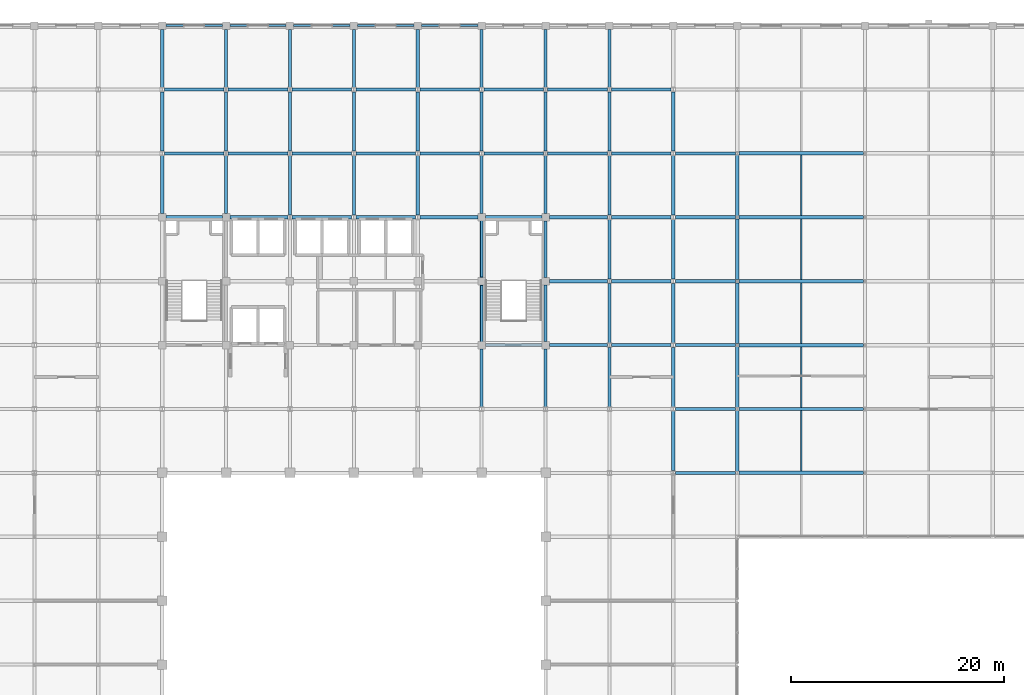
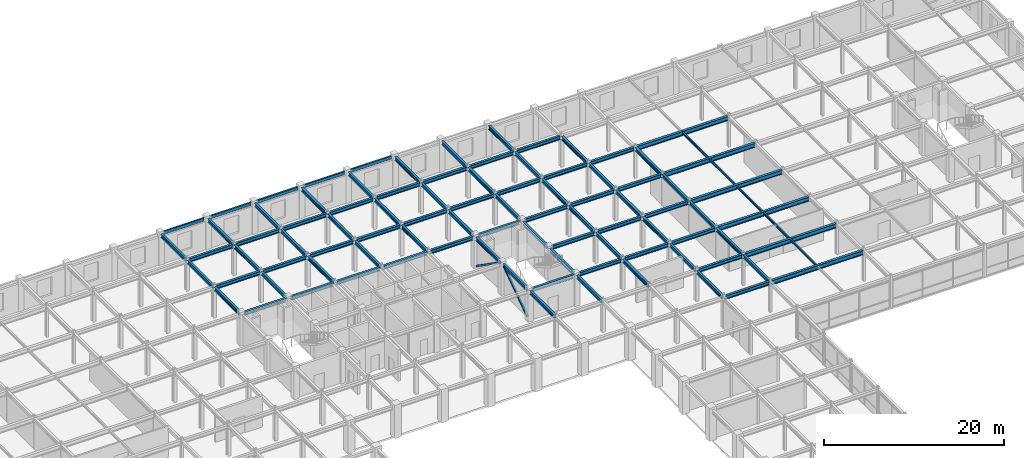
# One storey, part 77 of 108: 95 beams, 2 members.
"""IFC4 building model written with IfcOpenShell, lengths in metres."""

from ifc_helpers import new_model, si_unit, direction, frame, origin, origin_2d, place, context, subcontext, project, spatial, hollow_rectangle, i_section, extrude, material, material_profile, profile_set, type_object, element, save


model = new_model("IFC4")

# Units and contexts
model_context = context("Model", 3, precision=1e-05, world=origin(), true_north=direction((0.0, 1.0)))
body_context = subcontext(model_context, "Body", "Model", "MODEL_VIEW")
ifc_project = project(units=[si_unit("LENGTHUNIT", "METRE"), si_unit("AREAUNIT", "SQUARE_METRE"), si_unit("VOLUMEUNIT", "CUBIC_METRE"), si_unit("PLANEANGLEUNIT", "RADIAN"), si_unit("MASSUNIT", "GRAM", prefix="KILO")], contexts=[model_context])

# Site, building, storey
site_placement = place(None, origin())
site = spatial("IfcSite", under=ifc_project, at=site_placement, CompositionType="ELEMENT")
building_placement = place(site_placement, origin())
building = spatial("IfcBuilding", under=site, at=building_placement, Name="Zlatovratsky Civic Hall", CompositionType="ELEMENT")
storey_placement = place(building_placement, frame((0.0, 0.0, 12.0)))
storey = spatial("IfcBuildingStorey", under=building, at=storey_placement, Name="L03", CompositionType="ELEMENT", Elevation=12.0)

# Beams
ifc_material = material(Name="Steel S355", Category="steel")
ifc_material_profile_1 = material_profile(ifc_material, i_section(OverallWidth=0.300048828125, OverallDepth=0.48193359375, WebThickness=0.010986328125, FlangeThickness=0.014892578125, FilletRadius=0.02392578125, at=origin_2d()), Name="50Sh1")
ifc_profile_set_1 = profile_set([ifc_material_profile_1], Name="Steel S355")
beam_type_1 = type_object("IfcBeamType", Name="Beam_LibraryGirder_50Sh1", PredefinedType="BEAM", material=ifc_profile_set_1)
for number, where, z_axis, x_axis, name in (
    (1, (114.202392578125, 72.0, 3.97900390625), (1.0, 0.0, 0.0), (0.0, 1.0, 0.0), "BM-2637"),
    (2, (114.202392578125, 78.0, 3.97900390625), (1.0, 0.0, 0.0), (0.0, 1.0, 0.0), "BM-2659"),
):
    element("IfcBeam", number, at=place(storey_placement, frame(where, z_axis=z_axis, x_axis=x_axis)), inside=storey, type_object=beam_type_1, Name=name, PredefinedType="BEAM", context=body_context, shape_type="SweptSolid", body=[
        extrude(i_section(OverallWidth=0.300048828125, OverallDepth=0.48193359375, WebThickness=0.010986328125, FlangeThickness=0.014892578125, FilletRadius=0.02392578125, at=origin_2d()), origin(), (0.0, 0.0, 1.0), 5.648193359375),
    ])
beam_1_placement = place(storey_placement, frame((96.35009765625, 84.0, 3.97900390625), z_axis=(1.0, 0.0, 0.0), x_axis=(0.0, 1.0, 0.0)))
element("IfcBeam", 3, at=beam_1_placement, inside=storey, type_object=beam_type_1, Name="BM-2678", PredefinedType="BEAM", context=body_context, shape_type="SweptSolid", body=[
    extrude(i_section(OverallWidth=0.300048828125, OverallDepth=0.48193359375, WebThickness=0.010986328125, FlangeThickness=0.014892578125, FilletRadius=0.02392578125, at=origin_2d()), origin(), (0.0, 0.0, 1.0), 5.2998046875),
])
beam_2_placement = place(storey_placement, frame((102.35009765625, 84.0, 3.97900390625), z_axis=(1.0, 0.0, 0.0), x_axis=(0.0, 1.0, 0.0)))
element("IfcBeam", 4, at=beam_2_placement, inside=storey, type_object=beam_type_1, Name="BM-2679", PredefinedType="BEAM", context=body_context, shape_type="SweptSolid", body=[
    extrude(i_section(OverallWidth=0.300048828125, OverallDepth=0.48193359375, WebThickness=0.010986328125, FlangeThickness=0.014892578125, FilletRadius=0.02392578125, at=origin_2d()), origin(), (0.0, 0.0, 1.0), 5.447509765625),
])
beam_3_placement = place(storey_placement, frame((108.202392578125, 84.0, 3.97900390625), z_axis=(1.0, 0.0, 0.0), x_axis=(0.0, 1.0, 0.0)))
element("IfcBeam", 5, at=beam_3_placement, inside=storey, type_object=beam_type_1, Name="BM-2680", PredefinedType="BEAM", context=body_context, shape_type="SweptSolid", body=[
    extrude(i_section(OverallWidth=0.300048828125, OverallDepth=0.48193359375, WebThickness=0.010986328125, FlangeThickness=0.014892578125, FilletRadius=0.02392578125, at=origin_2d()), origin(), (0.0, 0.0, 1.0), 5.59521484375),
])
beam_4_placement = place(storey_placement, frame((114.202392578125, 84.0, 3.97900390625), z_axis=(1.0, 0.0, 0.0), x_axis=(0.0, 1.0, 0.0)))
element("IfcBeam", 6, at=beam_4_placement, inside=storey, type_object=beam_type_1, Name="BM-2681", PredefinedType="BEAM", context=body_context, shape_type="SweptSolid", body=[
    extrude(i_section(OverallWidth=0.300048828125, OverallDepth=0.48193359375, WebThickness=0.010986328125, FlangeThickness=0.014892578125, FilletRadius=0.02392578125, at=origin_2d()), origin(), (0.0, 0.0, 1.0), 5.648193359375),
])
beam_5_placement = place(storey_placement, frame((102.35009765625, 90.0, 3.97900390625), z_axis=(1.0, 0.0, 0.0), x_axis=(0.0, 1.0, 0.0)))
element("IfcBeam", 7, at=beam_5_placement, inside=storey, type_object=beam_type_1, Name="BM-2698", PredefinedType="BEAM", context=body_context, shape_type="SweptSolid", body=[
    extrude(i_section(OverallWidth=0.300048828125, OverallDepth=0.48193359375, WebThickness=0.010986328125, FlangeThickness=0.014892578125, FilletRadius=0.02392578125, at=origin_2d()), origin(), (0.0, 0.0, 1.0), 5.447509765625),
])
beam_6_placement = place(storey_placement, frame((108.202392578125, 90.0, 3.97900390625), z_axis=(1.0, 0.0, 0.0), x_axis=(0.0, 1.0, 0.0)))
element("IfcBeam", 8, at=beam_6_placement, inside=storey, type_object=beam_type_1, Name="BM-2699", PredefinedType="BEAM", context=body_context, shape_type="SweptSolid", body=[
    extrude(i_section(OverallWidth=0.300048828125, OverallDepth=0.48193359375, WebThickness=0.010986328125, FlangeThickness=0.014892578125, FilletRadius=0.02392578125, at=origin_2d()), origin(), (0.0, 0.0, 1.0), 5.59521484375),
])
beam_7_placement = place(storey_placement, frame((114.202392578125, 90.0, 3.97900390625), z_axis=(1.0, 0.0, 0.0), x_axis=(0.0, 1.0, 0.0)))
element("IfcBeam", 9, at=beam_7_placement, inside=storey, type_object=beam_type_1, Name="BM-2700", PredefinedType="BEAM", context=body_context, shape_type="SweptSolid", body=[
    extrude(i_section(OverallWidth=0.300048828125, OverallDepth=0.48193359375, WebThickness=0.010986328125, FlangeThickness=0.014892578125, FilletRadius=0.02392578125, at=origin_2d()), origin(), (0.0, 0.0, 1.0), 5.648193359375),
])
beam_8_placement = place(storey_placement, frame((66.35009765625, 96.0, 3.97900390625), z_axis=(1.0, 0.0, 0.0), x_axis=(0.0, 1.0, 0.0)))
element("IfcBeam", 10, at=beam_8_placement, inside=storey, type_object=beam_type_1, Name="BM-2713", PredefinedType="BEAM", context=body_context, shape_type="SweptSolid", body=[
    extrude(i_section(OverallWidth=0.300048828125, OverallDepth=0.48193359375, WebThickness=0.010986328125, FlangeThickness=0.014892578125, FilletRadius=0.02392578125, at=origin_2d()), origin(), (0.0, 0.0, 1.0), 5.2998046875),
])
beam_9_placement = place(storey_placement, frame((72.35009765625, 96.0, 3.97900390625), z_axis=(1.0, 0.0, 0.0), x_axis=(0.0, 1.0, 0.0)))
element("IfcBeam", 11, at=beam_9_placement, inside=storey, type_object=beam_type_1, Name="BM-2714", PredefinedType="BEAM", context=body_context, shape_type="SweptSolid", body=[
    extrude(i_section(OverallWidth=0.300048828125, OverallDepth=0.48193359375, WebThickness=0.010986328125, FlangeThickness=0.014892578125, FilletRadius=0.02392578125, at=origin_2d()), origin(), (0.0, 0.0, 1.0), 5.447509765625),
])
for number, where, z_axis, x_axis, name in (
    (12, (78.202392578125, 96.0, 3.97900390625), (1.0, 0.0, 0.0), (0.0, 1.0, 0.0), "BM-2715"),
    (13, (84.202392578125, 96.0, 3.97900390625), (1.0, 0.0, 0.0), (0.0, 1.0, 0.0), "BM-2716"),
):
    element("IfcBeam", number, at=place(storey_placement, frame(where, z_axis=z_axis, x_axis=x_axis)), inside=storey, type_object=beam_type_1, Name=name, PredefinedType="BEAM", context=body_context, shape_type="SweptSolid", body=[
        extrude(i_section(OverallWidth=0.300048828125, OverallDepth=0.48193359375, WebThickness=0.010986328125, FlangeThickness=0.014892578125, FilletRadius=0.02392578125, at=origin_2d()), origin(), (0.0, 0.0, 1.0), 5.59521484375),
    ])
beam_10_placement = place(storey_placement, frame((90.202392578125, 96.0, 3.97900390625), z_axis=(1.0, 0.0, 0.0), x_axis=(0.0, 1.0, 0.0)))
element("IfcBeam", 14, at=beam_10_placement, inside=storey, type_object=beam_type_1, Name="BM-2717", PredefinedType="BEAM", context=body_context, shape_type="SweptSolid", body=[
    extrude(i_section(OverallWidth=0.300048828125, OverallDepth=0.48193359375, WebThickness=0.010986328125, FlangeThickness=0.014892578125, FilletRadius=0.02392578125, at=origin_2d()), origin(), (0.0, 0.0, 1.0), 5.447509765625),
])
beam_11_placement = place(storey_placement, frame((96.35009765625, 96.0, 3.97900390625), z_axis=(1.0, 0.0, 0.0), x_axis=(0.0, 1.0, 0.0)))
element("IfcBeam", 15, at=beam_11_placement, inside=storey, type_object=beam_type_1, Name="BM-2718", PredefinedType="BEAM", context=body_context, shape_type="SweptSolid", body=[
    extrude(i_section(OverallWidth=0.300048828125, OverallDepth=0.48193359375, WebThickness=0.010986328125, FlangeThickness=0.014892578125, FilletRadius=0.02392578125, at=origin_2d()), origin(), (0.0, 0.0, 1.0), 5.2998046875),
])
beam_12_placement = place(storey_placement, frame((102.35009765625, 96.0, 3.97900390625), z_axis=(1.0, 0.0, 0.0), x_axis=(0.0, 1.0, 0.0)))
element("IfcBeam", 16, at=beam_12_placement, inside=storey, type_object=beam_type_1, Name="BM-2719", PredefinedType="BEAM", context=body_context, shape_type="SweptSolid", body=[
    extrude(i_section(OverallWidth=0.300048828125, OverallDepth=0.48193359375, WebThickness=0.010986328125, FlangeThickness=0.014892578125, FilletRadius=0.02392578125, at=origin_2d()), origin(), (0.0, 0.0, 1.0), 5.447509765625),
])
beam_13_placement = place(storey_placement, frame((108.202392578125, 96.0, 3.97900390625), z_axis=(1.0, 0.0, 0.0), x_axis=(0.0, 1.0, 0.0)))
element("IfcBeam", 17, at=beam_13_placement, inside=storey, type_object=beam_type_1, Name="BM-2720", PredefinedType="BEAM", context=body_context, shape_type="SweptSolid", body=[
    extrude(i_section(OverallWidth=0.300048828125, OverallDepth=0.48193359375, WebThickness=0.010986328125, FlangeThickness=0.014892578125, FilletRadius=0.02392578125, at=origin_2d()), origin(), (0.0, 0.0, 1.0), 5.59521484375),
])
beam_14_placement = place(storey_placement, frame((114.202392578125, 96.0, 3.97900390625), z_axis=(1.0, 0.0, 0.0), x_axis=(0.0, 1.0, 0.0)))
element("IfcBeam", 18, at=beam_14_placement, inside=storey, type_object=beam_type_1, Name="BM-2721", PredefinedType="BEAM", context=body_context, shape_type="SweptSolid", body=[
    extrude(i_section(OverallWidth=0.300048828125, OverallDepth=0.48193359375, WebThickness=0.010986328125, FlangeThickness=0.014892578125, FilletRadius=0.02392578125, at=origin_2d()), origin(), (0.0, 0.0, 1.0), 5.648193359375),
])
for number, where, z_axis, x_axis, name in (
    (19, (66.202392578125, 102.0, 3.97900390625), (1.0, 0.0, 0.0), (0.0, 1.0, 0.0), "BM-2735"),
    (20, (72.202392578125, 102.0, 3.97900390625), (1.0, 0.0, 0.0), (0.0, 1.0, 0.0), "BM-2736"),
    (21, (78.202392578125, 102.0, 3.97900390625), (1.0, 0.0, 0.0), (0.0, 1.0, 0.0), "BM-2737"),
    (22, (84.202392578125, 102.0, 3.97900390625), (1.0, 0.0, 0.0), (0.0, 1.0, 0.0), "BM-2738"),
    (23, (90.202392578125, 102.0, 3.97900390625), (1.0, 0.0, 0.0), (0.0, 1.0, 0.0), "BM-2739"),
    (24, (96.202392578125, 102.0, 3.97900390625), (1.0, 0.0, 0.0), (0.0, 1.0, 0.0), "BM-2740"),
    (25, (102.202392578125, 102.0, 3.97900390625), (1.0, 0.0, 0.0), (0.0, 1.0, 0.0), "BM-2741"),
    (26, (108.202392578125, 102.0, 3.97900390625), (1.0, 0.0, 0.0), (0.0, 1.0, 0.0), "BM-2742"),
):
    element("IfcBeam", number, at=place(storey_placement, frame(where, z_axis=z_axis, x_axis=x_axis)), inside=storey, type_object=beam_type_1, Name=name, PredefinedType="BEAM", context=body_context, shape_type="SweptSolid", body=[
        extrude(i_section(OverallWidth=0.300048828125, OverallDepth=0.48193359375, WebThickness=0.010986328125, FlangeThickness=0.014892578125, FilletRadius=0.02392578125, at=origin_2d()), origin(), (0.0, 0.0, 1.0), 5.59521484375),
    ])
beam_15_placement = place(storey_placement, frame((114.202392578125, 102.0, 3.97900390625), z_axis=(1.0, 0.0, 0.0), x_axis=(0.0, 1.0, 0.0)))
element("IfcBeam", 27, at=beam_15_placement, inside=storey, type_object=beam_type_1, Name="BM-2743", PredefinedType="BEAM", context=body_context, shape_type="SweptSolid", body=[
    extrude(i_section(OverallWidth=0.300048828125, OverallDepth=0.48193359375, WebThickness=0.010986328125, FlangeThickness=0.014892578125, FilletRadius=0.02392578125, at=origin_2d()), origin(), (0.0, 0.0, 1.0), 5.648193359375),
])
for number, where, z_axis, x_axis, name in (
    (28, (66.202392578125, 108.0, 3.97900390625), (1.0, 0.0, 0.0), (0.0, 1.0, 0.0), "BM-2757"),
    (29, (72.202392578125, 108.0, 3.97900390625), (1.0, 0.0, 0.0), (0.0, 1.0, 0.0), "BM-2758"),
    (30, (78.202392578125, 108.0, 3.97900390625), (1.0, 0.0, 0.0), (0.0, 1.0, 0.0), "BM-2759"),
    (31, (84.202392578125, 108.0, 3.97900390625), (1.0, 0.0, 0.0), (0.0, 1.0, 0.0), "BM-2760"),
    (32, (90.202392578125, 108.0, 3.97900390625), (1.0, 0.0, 0.0), (0.0, 1.0, 0.0), "BM-2761"),
    (33, (96.202392578125, 108.0, 3.97900390625), (1.0, 0.0, 0.0), (0.0, 1.0, 0.0), "BM-2762"),
    (34, (102.202392578125, 108.0, 3.97900390625), (1.0, 0.0, 0.0), (0.0, 1.0, 0.0), "BM-2763"),
    (35, (108.202392578125, 108.0, 3.97900390625), (1.0, 0.0, 0.0), (0.0, 1.0, 0.0), "BM-2764"),
):
    element("IfcBeam", number, at=place(storey_placement, frame(where, z_axis=z_axis, x_axis=x_axis)), inside=storey, type_object=beam_type_1, Name=name, PredefinedType="BEAM", context=body_context, shape_type="SweptSolid", body=[
        extrude(i_section(OverallWidth=0.300048828125, OverallDepth=0.48193359375, WebThickness=0.010986328125, FlangeThickness=0.014892578125, FilletRadius=0.02392578125, at=origin_2d()), origin(), (0.0, 0.0, 1.0), 5.59521484375),
    ])
beam_16_placement = place(storey_placement, frame((66.0, 96.35009765625, 3.97900390625), z_axis=(0.0, 1.0, 0.0), x_axis=(-1.0, 0.0, 0.0)))
element("IfcBeam", 36, at=beam_16_placement, inside=storey, type_object=beam_type_1, Name="BM-2929", PredefinedType="BEAM", context=body_context, shape_type="SweptSolid", body=[
    extrude(i_section(OverallWidth=0.300048828125, OverallDepth=0.48193359375, WebThickness=0.010986328125, FlangeThickness=0.014892578125, FilletRadius=0.02392578125, at=origin_2d()), origin(), (0.0, 0.0, 1.0), 5.44091796875),
])
beam_17_placement = place(storey_placement, frame((66.0, 102.208984375, 3.97900390625), z_axis=(0.0, 1.0, 0.0), x_axis=(-1.0, 0.0, 0.0)))
element("IfcBeam", 37, at=beam_17_placement, inside=storey, type_object=beam_type_1, Name="BM-2930", PredefinedType="BEAM", context=body_context, shape_type="SweptSolid", body=[
    extrude(i_section(OverallWidth=0.300048828125, OverallDepth=0.48193359375, WebThickness=0.010986328125, FlangeThickness=0.014892578125, FilletRadius=0.02392578125, at=origin_2d()), origin(), (0.0, 0.0, 1.0), 5.58203125),
])
for number, where, z_axis, x_axis, name in (
    (38, (66.0, 108.208984375, 3.97900390625), (0.0, 1.0, 0.0), (-1.0, 0.0, 0.0), "BM-2931"),
    (39, (72.0, 96.35009765625, 3.97900390625), (0.0, 1.0, 0.0), (-1.0, 0.0, 0.0), "BM-2940"),
):
    element("IfcBeam", number, at=place(storey_placement, frame(where, z_axis=z_axis, x_axis=x_axis)), inside=storey, type_object=beam_type_1, Name=name, PredefinedType="BEAM", context=body_context, shape_type="SweptSolid", body=[
        extrude(i_section(OverallWidth=0.300048828125, OverallDepth=0.48193359375, WebThickness=0.010986328125, FlangeThickness=0.014892578125, FilletRadius=0.02392578125, at=origin_2d()), origin(), (0.0, 0.0, 1.0), 5.44091796875),
    ])
beam_18_placement = place(storey_placement, frame((72.0, 102.208984375, 3.97900390625), z_axis=(0.0, 1.0, 0.0), x_axis=(-1.0, 0.0, 0.0)))
element("IfcBeam", 40, at=beam_18_placement, inside=storey, type_object=beam_type_1, Name="BM-2941", PredefinedType="BEAM", context=body_context, shape_type="SweptSolid", body=[
    extrude(i_section(OverallWidth=0.300048828125, OverallDepth=0.48193359375, WebThickness=0.010986328125, FlangeThickness=0.014892578125, FilletRadius=0.02392578125, at=origin_2d()), origin(), (0.0, 0.0, 1.0), 5.58203125),
])
beam_19_placement = place(storey_placement, frame((72.0, 108.208984375, 3.97900390625), z_axis=(0.0, 1.0, 0.0), x_axis=(-1.0, 0.0, 0.0)))
element("IfcBeam", 41, at=beam_19_placement, inside=storey, type_object=beam_type_1, Name="BM-2942", PredefinedType="BEAM", context=body_context, shape_type="SweptSolid", body=[
    extrude(i_section(OverallWidth=0.300048828125, OverallDepth=0.48193359375, WebThickness=0.010986328125, FlangeThickness=0.014892578125, FilletRadius=0.02392578125, at=origin_2d()), origin(), (0.0, 0.0, 1.0), 5.44091796875),
])
for number, where, z_axis, x_axis, name in (
    (42, (78.0, 96.208984375, 3.97900390625), (0.0, 1.0, 0.0), (-1.0, 0.0, 0.0), "BM-2949"),
    (43, (78.0, 102.208984375, 3.97900390625), (0.0, 1.0, 0.0), (-1.0, 0.0, 0.0), "BM-2950"),
):
    element("IfcBeam", number, at=place(storey_placement, frame(where, z_axis=z_axis, x_axis=x_axis)), inside=storey, type_object=beam_type_1, Name=name, PredefinedType="BEAM", context=body_context, shape_type="SweptSolid", body=[
        extrude(i_section(OverallWidth=0.300048828125, OverallDepth=0.48193359375, WebThickness=0.010986328125, FlangeThickness=0.014892578125, FilletRadius=0.02392578125, at=origin_2d()), origin(), (0.0, 0.0, 1.0), 5.58203125),
    ])
beam_20_placement = place(storey_placement, frame((78.0, 108.208984375, 3.97900390625), z_axis=(0.0, 1.0, 0.0), x_axis=(-1.0, 0.0, 0.0)))
element("IfcBeam", 44, at=beam_20_placement, inside=storey, type_object=beam_type_1, Name="BM-2951", PredefinedType="BEAM", context=body_context, shape_type="SweptSolid", body=[
    extrude(i_section(OverallWidth=0.300048828125, OverallDepth=0.48193359375, WebThickness=0.010986328125, FlangeThickness=0.014892578125, FilletRadius=0.02392578125, at=origin_2d()), origin(), (0.0, 0.0, 1.0), 5.44091796875),
])
for number, where, z_axis, x_axis, name in (
    (45, (84.0, 96.208984375, 3.97900390625), (0.0, 1.0, 0.0), (-1.0, 0.0, 0.0), "BM-2958"),
    (46, (84.0, 102.208984375, 3.97900390625), (0.0, 1.0, 0.0), (-1.0, 0.0, 0.0), "BM-2959"),
):
    element("IfcBeam", number, at=place(storey_placement, frame(where, z_axis=z_axis, x_axis=x_axis)), inside=storey, type_object=beam_type_1, Name=name, PredefinedType="BEAM", context=body_context, shape_type="SweptSolid", body=[
        extrude(i_section(OverallWidth=0.300048828125, OverallDepth=0.48193359375, WebThickness=0.010986328125, FlangeThickness=0.014892578125, FilletRadius=0.02392578125, at=origin_2d()), origin(), (0.0, 0.0, 1.0), 5.58203125),
    ])
beam_21_placement = place(storey_placement, frame((84.0, 108.208984375, 3.97900390625), z_axis=(0.0, 1.0, 0.0), x_axis=(-1.0, 0.0, 0.0)))
element("IfcBeam", 47, at=beam_21_placement, inside=storey, type_object=beam_type_1, Name="BM-2960", PredefinedType="BEAM", context=body_context, shape_type="SweptSolid", body=[
    extrude(i_section(OverallWidth=0.300048828125, OverallDepth=0.48193359375, WebThickness=0.010986328125, FlangeThickness=0.014892578125, FilletRadius=0.02392578125, at=origin_2d()), origin(), (0.0, 0.0, 1.0), 5.44091796875),
])
for number, where, z_axis, x_axis, name in (
    (48, (90.0, 96.208984375, 3.97900390625), (0.0, 1.0, 0.0), (-1.0, 0.0, 0.0), "BM-2967"),
    (49, (90.0, 102.208984375, 3.97900390625), (0.0, 1.0, 0.0), (-1.0, 0.0, 0.0), "BM-2968"),
):
    element("IfcBeam", number, at=place(storey_placement, frame(where, z_axis=z_axis, x_axis=x_axis)), inside=storey, type_object=beam_type_1, Name=name, PredefinedType="BEAM", context=body_context, shape_type="SweptSolid", body=[
        extrude(i_section(OverallWidth=0.300048828125, OverallDepth=0.48193359375, WebThickness=0.010986328125, FlangeThickness=0.014892578125, FilletRadius=0.02392578125, at=origin_2d()), origin(), (0.0, 0.0, 1.0), 5.58203125),
    ])
for number, where, z_axis, x_axis, name in (
    (50, (90.0, 108.208984375, 3.97900390625), (0.0, 1.0, 0.0), (-1.0, 0.0, 0.0), "BM-2969"),
    (51, (96.0, 78.208984375, 3.97900390625), (0.0, 1.0, 0.0), (-1.0, 0.0, 0.0), "BM-2975"),
):
    element("IfcBeam", number, at=place(storey_placement, frame(where, z_axis=z_axis, x_axis=x_axis)), inside=storey, type_object=beam_type_1, Name=name, PredefinedType="BEAM", context=body_context, shape_type="SweptSolid", body=[
        extrude(i_section(OverallWidth=0.300048828125, OverallDepth=0.48193359375, WebThickness=0.010986328125, FlangeThickness=0.014892578125, FilletRadius=0.02392578125, at=origin_2d()), origin(), (0.0, 0.0, 1.0), 5.44091796875),
    ])
for number, where, z_axis, x_axis, name in (
    (52, (96.0, 84.35009765625, 3.97900390625), (0.0, 1.0, 0.0), (-1.0, 0.0, 0.0), "BM-2976"),
    (53, (96.0, 90.35009765625, 3.97900390625), (0.0, 1.0, 0.0), (-1.0, 0.0, 0.0), "BM-2977"),
):
    element("IfcBeam", number, at=place(storey_placement, frame(where, z_axis=z_axis, x_axis=x_axis)), inside=storey, type_object=beam_type_1, Name=name, PredefinedType="BEAM", context=body_context, shape_type="SweptSolid", body=[
        extrude(i_section(OverallWidth=0.300048828125, OverallDepth=0.48193359375, WebThickness=0.010986328125, FlangeThickness=0.014892578125, FilletRadius=0.02392578125, at=origin_2d()), origin(), (0.0, 0.0, 1.0), 5.2998046875),
    ])
beam_22_placement = place(storey_placement, frame((96.0, 96.35009765625, 3.97900390625), z_axis=(0.0, 1.0, 0.0), x_axis=(-1.0, 0.0, 0.0)))
element("IfcBeam", 54, at=beam_22_placement, inside=storey, type_object=beam_type_1, Name="BM-2978", PredefinedType="BEAM", context=body_context, shape_type="SweptSolid", body=[
    extrude(i_section(OverallWidth=0.300048828125, OverallDepth=0.48193359375, WebThickness=0.010986328125, FlangeThickness=0.014892578125, FilletRadius=0.02392578125, at=origin_2d()), origin(), (0.0, 0.0, 1.0), 5.44091796875),
])
beam_23_placement = place(storey_placement, frame((96.0, 102.208984375, 3.97900390625), z_axis=(0.0, 1.0, 0.0), x_axis=(-1.0, 0.0, 0.0)))
element("IfcBeam", 55, at=beam_23_placement, inside=storey, type_object=beam_type_1, Name="BM-2979", PredefinedType="BEAM", context=body_context, shape_type="SweptSolid", body=[
    extrude(i_section(OverallWidth=0.300048828125, OverallDepth=0.48193359375, WebThickness=0.010986328125, FlangeThickness=0.014892578125, FilletRadius=0.02392578125, at=origin_2d()), origin(), (0.0, 0.0, 1.0), 5.58203125),
])
for number, where, z_axis, x_axis, name in (
    (56, (96.0, 108.208984375, 3.97900390625), (0.0, 1.0, 0.0), (-1.0, 0.0, 0.0), "BM-2980"),
    (57, (102.0, 78.208984375, 3.97900390625), (0.0, 1.0, 0.0), (-1.0, 0.0, 0.0), "BM-2991"),
):
    element("IfcBeam", number, at=place(storey_placement, frame(where, z_axis=z_axis, x_axis=x_axis)), inside=storey, type_object=beam_type_1, Name=name, PredefinedType="BEAM", context=body_context, shape_type="SweptSolid", body=[
        extrude(i_section(OverallWidth=0.300048828125, OverallDepth=0.48193359375, WebThickness=0.010986328125, FlangeThickness=0.014892578125, FilletRadius=0.02392578125, at=origin_2d()), origin(), (0.0, 0.0, 1.0), 5.44091796875),
    ])
for number, where, z_axis, x_axis, name in (
    (58, (102.0, 84.35009765625, 3.97900390625), (0.0, 1.0, 0.0), (-1.0, 0.0, 0.0), "BM-2992"),
    (59, (102.0, 90.35009765625, 3.97900390625), (0.0, 1.0, 0.0), (-1.0, 0.0, 0.0), "BM-2993"),
):
    element("IfcBeam", number, at=place(storey_placement, frame(where, z_axis=z_axis, x_axis=x_axis)), inside=storey, type_object=beam_type_1, Name=name, PredefinedType="BEAM", context=body_context, shape_type="SweptSolid", body=[
        extrude(i_section(OverallWidth=0.300048828125, OverallDepth=0.48193359375, WebThickness=0.010986328125, FlangeThickness=0.014892578125, FilletRadius=0.02392578125, at=origin_2d()), origin(), (0.0, 0.0, 1.0), 5.2998046875),
    ])
beam_24_placement = place(storey_placement, frame((102.0, 96.35009765625, 3.97900390625), z_axis=(0.0, 1.0, 0.0), x_axis=(-1.0, 0.0, 0.0)))
element("IfcBeam", 60, at=beam_24_placement, inside=storey, type_object=beam_type_1, Name="BM-2994", PredefinedType="BEAM", context=body_context, shape_type="SweptSolid", body=[
    extrude(i_section(OverallWidth=0.300048828125, OverallDepth=0.48193359375, WebThickness=0.010986328125, FlangeThickness=0.014892578125, FilletRadius=0.02392578125, at=origin_2d()), origin(), (0.0, 0.0, 1.0), 5.44091796875),
])
beam_25_placement = place(storey_placement, frame((102.0, 102.208984375, 3.97900390625), z_axis=(0.0, 1.0, 0.0), x_axis=(-1.0, 0.0, 0.0)))
element("IfcBeam", 61, at=beam_25_placement, inside=storey, type_object=beam_type_1, Name="BM-2995", PredefinedType="BEAM", context=body_context, shape_type="SweptSolid", body=[
    extrude(i_section(OverallWidth=0.300048828125, OverallDepth=0.48193359375, WebThickness=0.010986328125, FlangeThickness=0.014892578125, FilletRadius=0.02392578125, at=origin_2d()), origin(), (0.0, 0.0, 1.0), 5.58203125),
])
beam_26_placement = place(storey_placement, frame((102.0, 108.208984375, 3.97900390625), z_axis=(0.0, 1.0, 0.0), x_axis=(-1.0, 0.0, 0.0)))
element("IfcBeam", 62, at=beam_26_placement, inside=storey, type_object=beam_type_1, Name="BM-2996", PredefinedType="BEAM", context=body_context, shape_type="SweptSolid", body=[
    extrude(i_section(OverallWidth=0.300048828125, OverallDepth=0.48193359375, WebThickness=0.010986328125, FlangeThickness=0.014892578125, FilletRadius=0.02392578125, at=origin_2d()), origin(), (0.0, 0.0, 1.0), 5.44091796875),
])
for number, where, z_axis, x_axis, name in (
    (63, (108.0, 78.208984375, 3.97900390625), (0.0, 1.0, 0.0), (-1.0, 0.0, 0.0), "BM-3007"),
    (64, (108.0, 84.208984375, 3.97900390625), (0.0, 1.0, 0.0), (-1.0, 0.0, 0.0), "BM-3008"),
    (65, (108.0, 90.208984375, 3.97900390625), (0.0, 1.0, 0.0), (-1.0, 0.0, 0.0), "BM-3009"),
    (66, (108.0, 96.208984375, 3.97900390625), (0.0, 1.0, 0.0), (-1.0, 0.0, 0.0), "BM-3010"),
    (67, (108.0, 102.208984375, 3.97900390625), (0.0, 1.0, 0.0), (-1.0, 0.0, 0.0), "BM-3011"),
):
    element("IfcBeam", number, at=place(storey_placement, frame(where, z_axis=z_axis, x_axis=x_axis)), inside=storey, type_object=beam_type_1, Name=name, PredefinedType="BEAM", context=body_context, shape_type="SweptSolid", body=[
        extrude(i_section(OverallWidth=0.300048828125, OverallDepth=0.48193359375, WebThickness=0.010986328125, FlangeThickness=0.014892578125, FilletRadius=0.02392578125, at=origin_2d()), origin(), (0.0, 0.0, 1.0), 5.58203125),
    ])
beam_27_placement = place(storey_placement, frame((108.0, 108.208984375, 3.97900390625), z_axis=(0.0, 1.0, 0.0), x_axis=(-1.0, 0.0, 0.0)))
element("IfcBeam", 68, at=beam_27_placement, inside=storey, type_object=beam_type_1, Name="BM-3012", PredefinedType="BEAM", context=body_context, shape_type="SweptSolid", body=[
    extrude(i_section(OverallWidth=0.300048828125, OverallDepth=0.48193359375, WebThickness=0.010986328125, FlangeThickness=0.014892578125, FilletRadius=0.02392578125, at=origin_2d()), origin(), (0.0, 0.0, 1.0), 5.44091796875),
])
for number, where, z_axis, x_axis, name in (
    (69, (114.0, 72.208984375, 3.97900390625), (0.0, 1.0, 0.0), (-1.0, 0.0, 0.0), "BM-3023"),
    (70, (114.0, 78.208984375, 3.97900390625), (0.0, 1.0, 0.0), (-1.0, 0.0, 0.0), "BM-3024"),
    (71, (114.0, 84.208984375, 3.97900390625), (0.0, 1.0, 0.0), (-1.0, 0.0, 0.0), "BM-3025"),
    (72, (114.0, 90.208984375, 3.97900390625), (0.0, 1.0, 0.0), (-1.0, 0.0, 0.0), "BM-3026"),
    (73, (114.0, 96.208984375, 3.97900390625), (0.0, 1.0, 0.0), (-1.0, 0.0, 0.0), "BM-3027"),
    (74, (114.0, 102.208984375, 3.97900390625), (0.0, 1.0, 0.0), (-1.0, 0.0, 0.0), "BM-3028"),
):
    element("IfcBeam", number, at=place(storey_placement, frame(where, z_axis=z_axis, x_axis=x_axis)), inside=storey, type_object=beam_type_1, Name=name, PredefinedType="BEAM", context=body_context, shape_type="SweptSolid", body=[
        extrude(i_section(OverallWidth=0.300048828125, OverallDepth=0.48193359375, WebThickness=0.010986328125, FlangeThickness=0.014892578125, FilletRadius=0.02392578125, at=origin_2d()), origin(), (0.0, 0.0, 1.0), 5.58203125),
    ])
for number, where, z_axis, x_axis, name in (
    (75, (120.0, 72.14794921875, 3.97900390625), (0.0, 1.0, 0.0), (-1.0, 0.0, 0.0), "BM-3040"),
    (76, (120.0, 78.14794921875, 3.97900390625), (0.0, 1.0, 0.0), (-1.0, 0.0, 0.0), "BM-3041"),
    (77, (120.0, 84.14794921875, 3.97900390625), (0.0, 1.0, 0.0), (-1.0, 0.0, 0.0), "BM-3042"),
    (78, (120.0, 90.14794921875, 3.97900390625), (0.0, 1.0, 0.0), (-1.0, 0.0, 0.0), "BM-3043"),
    (79, (120.0, 96.14794921875, 3.97900390625), (0.0, 1.0, 0.0), (-1.0, 0.0, 0.0), "BM-3044"),
):
    element("IfcBeam", number, at=place(storey_placement, frame(where, z_axis=z_axis, x_axis=x_axis)), inside=storey, type_object=beam_type_1, Name=name, PredefinedType="BEAM", context=body_context, shape_type="SweptSolid", body=[
        extrude(i_section(OverallWidth=0.300048828125, OverallDepth=0.48193359375, WebThickness=0.010986328125, FlangeThickness=0.014892578125, FilletRadius=0.02392578125, at=origin_2d()), origin(), (0.0, 0.0, 1.0), 5.7041015625),
    ])
ifc_material_profile_2 = material_profile(ifc_material, i_section(OverallWidth=0.320068359375, OverallDepth=0.58203125, WebThickness=0.011962890625, FlangeThickness=0.01708984375, FilletRadius=0.02392578125, at=origin_2d()), Name="60Sh1")
ifc_profile_set_2 = profile_set([ifc_material_profile_2], Name="Steel S355")
beam_type_2 = type_object("IfcBeamType", Name="Beam_PodiumGirder_60Sh1", PredefinedType="BEAM", material=ifc_profile_set_2)
for number, where, z_axis, x_axis, name in (
    (80, (120.1494140625, 72.0, 3.928955078125), (1.0, 0.0, 0.0), (0.0, 1.0, 0.0), "BM-2638"),
    (81, (120.1494140625, 78.0, 3.928955078125), (1.0, 0.0, 0.0), (0.0, 1.0, 0.0), "BM-2660"),
    (82, (120.1494140625, 84.0, 3.928955078125), (1.0, 0.0, 0.0), (0.0, 1.0, 0.0), "BM-2682"),
    (83, (120.1494140625, 90.0, 3.928955078125), (1.0, 0.0, 0.0), (0.0, 1.0, 0.0), "BM-2701"),
    (84, (120.1494140625, 96.0, 3.928955078125), (1.0, 0.0, 0.0), (0.0, 1.0, 0.0), "BM-2722"),
    (85, (120.1494140625, 102.0, 3.928955078125), (1.0, 0.0, 0.0), (0.0, 1.0, 0.0), "BM-2744"),
):
    element("IfcBeam", number, at=place(storey_placement, frame(where, z_axis=z_axis, x_axis=x_axis)), inside=storey, type_object=beam_type_2, Name=name, PredefinedType="BEAM", context=body_context, shape_type="SweptSolid", body=[
        extrude(i_section(OverallWidth=0.320068359375, OverallDepth=0.58203125, WebThickness=0.011962890625, FlangeThickness=0.01708984375, FilletRadius=0.02392578125, at=origin_2d()), origin(), (0.0, 0.0, 1.0), 11.701171875),
    ])
ifc_material_profile_3 = material_profile(ifc_material, i_section(OverallWidth=0.198974609375, OverallDepth=0.491943359375, WebThickness=0.0087890625, FlangeThickness=0.011962890625, FilletRadius=0.01611328125, at=origin_2d()), Name="50B1")
ifc_profile_set_3 = profile_set([ifc_material_profile_3], Name="Steel S355")
beam_type_3 = type_object("IfcBeamType", Name="Beam_Spandrel_50B1", PredefinedType="SPANDREL", material=ifc_profile_set_3)
for number, where, z_axis, x_axis, name in (
    (86, (66.35009765625, 114.0, 3.97412109375), (1.0, 0.0, 0.0), (0.0, 1.0, 0.0), "BM-2779"),
    (87, (72.35009765625, 114.0, 3.97412109375), (1.0, 0.0, 0.0), (0.0, 1.0, 0.0), "BM-2780"),
    (88, (78.35009765625, 114.0, 3.97412109375), (1.0, 0.0, 0.0), (0.0, 1.0, 0.0), "BM-2781"),
    (89, (84.35009765625, 114.0, 3.97412109375), (1.0, 0.0, 0.0), (0.0, 1.0, 0.0), "BM-2782"),
    (90, (90.35009765625, 114.0, 3.97412109375), (1.0, 0.0, 0.0), (0.0, 1.0, 0.0), "BM-2783"),
):
    element("IfcBeam", number, at=place(storey_placement, frame(where, z_axis=z_axis, x_axis=x_axis)), inside=storey, type_object=beam_type_3, Name=name, PredefinedType="SPANDREL", context=body_context, shape_type="SweptSolid", body=[
        extrude(i_section(OverallWidth=0.198974609375, OverallDepth=0.491943359375, WebThickness=0.0087890625, FlangeThickness=0.011962890625, FilletRadius=0.01611328125, at=origin_2d()), origin(), (0.0, 0.0, 1.0), 5.2998046875),
    ])

# Members
ifc_material_profile_4 = material_profile(ifc_material, hollow_rectangle(XDim=0.219970703125, YDim=0.219970703125, WallThickness=0.010009765625, at=origin_2d()), Name="SHS 220x220x10")
ifc_profile_set_4 = profile_set([ifc_material_profile_4], Name="Steel S355")
member_type = type_object("IfcMemberType", Name="Brace_Podium_SHS220", PredefinedType="BRACE", material=ifc_profile_set_4)
for number, where, z_axis, x_axis, name in (
    (91, (96.0, 84.35009765625, 0.25), (0.0, 0.819951728037, 0.572432671752), (-1.0, 0.0, 0.0), "MB-0110"),
    (92, (96.0, 90.35009765625, 3.949951171875), (0.0, 0.819951728037, -0.572432671752), (-1.0, 0.0, 0.0), "MB-0111"),
):
    element("IfcMember", number, at=place(storey_placement, frame(where, z_axis=z_axis, x_axis=x_axis)), inside=storey, type_object=member_type, Name=name, PredefinedType="BRACE", context=body_context, shape_type="SweptSolid", body=[
        extrude(hollow_rectangle(XDim=0.219970703125, YDim=0.219970703125, WallThickness=0.010009765625, at=origin_2d()), origin(), (0.0, 0.0, 1.0), 6.463623046875),
    ])

# Beams
ifc_material_profile_5 = material_profile(ifc_material, i_section(OverallWidth=0.14892578125, OverallDepth=0.2958984375, WebThickness=0.005615234375, FlangeThickness=0.008056640625, FilletRadius=0.012939453125, at=origin_2d()), Name="30B1")
ifc_profile_set_5 = profile_set([ifc_material_profile_5], Name="Steel S355")
beam_type_4 = type_object("IfcBeamType", Name="Joist_Tower_30B1", PredefinedType="JOIST", material=ifc_profile_set_5)
for number, where, z_axis, x_axis, name in (
    (93, (126.0, 72.159912109375, 4.072021484375), (0.0, 1.0, 0.0), (-1.0, 0.0, 0.0), "BM-3159"),
    (94, (126.0, 78.159912109375, 4.072021484375), (0.0, 1.0, 0.0), (-1.0, 0.0, 0.0), "BM-3165"),
    (95, (126.0, 84.159912109375, 4.072021484375), (0.0, 1.0, 0.0), (-1.0, 0.0, 0.0), "BM-3171"),
    (96, (126.0, 90.159912109375, 4.072021484375), (0.0, 1.0, 0.0), (-1.0, 0.0, 0.0), "BM-3179"),
    (97, (126.0, 96.159912109375, 4.072021484375), (0.0, 1.0, 0.0), (-1.0, 0.0, 0.0), "BM-3185"),
):
    element("IfcBeam", number, at=place(storey_placement, frame(where, z_axis=z_axis, x_axis=x_axis)), inside=storey, type_object=beam_type_4, Name=name, PredefinedType="JOIST", context=body_context, shape_type="SweptSolid", body=[
        extrude(i_section(OverallWidth=0.14892578125, OverallDepth=0.2958984375, WebThickness=0.005615234375, FlangeThickness=0.008056640625, FilletRadius=0.012939453125, at=origin_2d()), origin(), (0.0, 0.0, 1.0), 5.68017578125),
    ])

save(model, "model.ifc")
